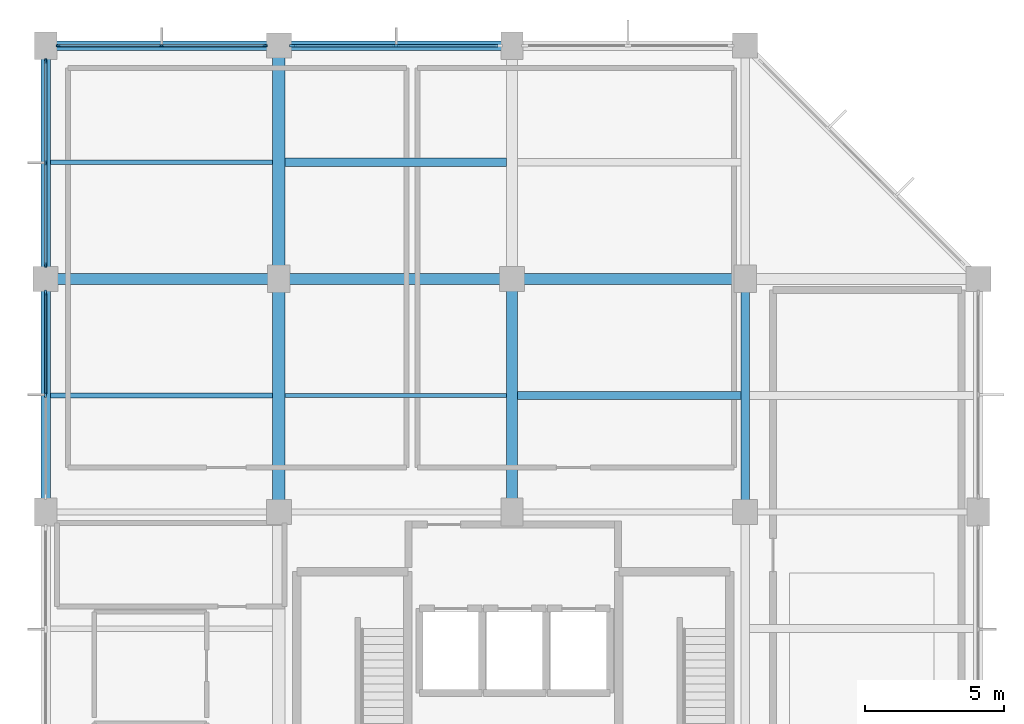
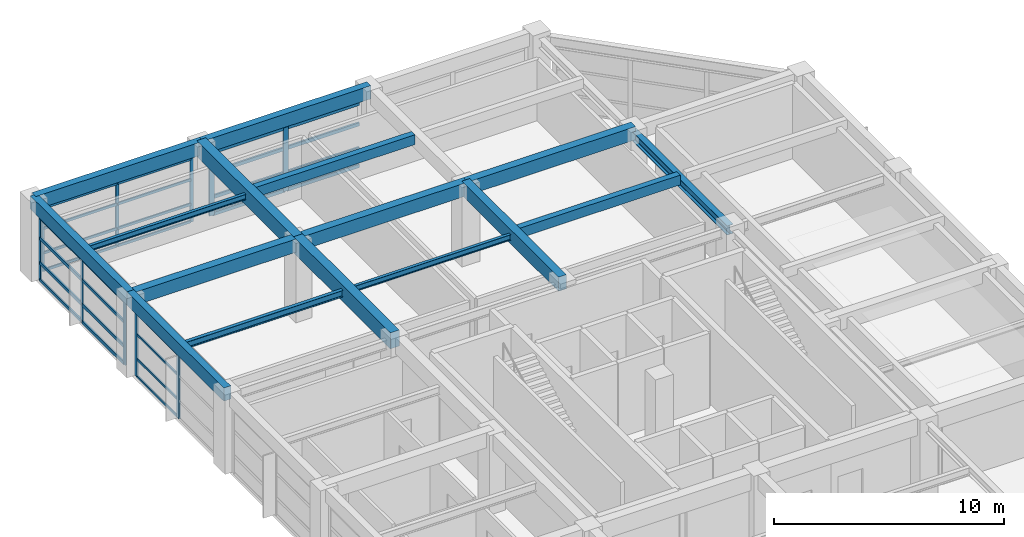
# One storey, part 5 of 11: 38 members, 16 beams, 4 elements without a shape of their own.
"""IFC4 building model written with IfcOpenShell, lengths in metres."""

from ifc_helpers import new_model, si_unit, direction, frame, origin, origin_2d, place, context, subcontext, project, spatial, rectangle, i_section, extrude, material, material_profile, profile_set, type_object, element, aggregate, save


model = new_model("IFC4")

# Units and contexts
model_context = context("Model", 3, precision=1e-05, world=origin(), true_north=direction((0.0, 1.0)))
body_context = subcontext(model_context, "Body", "Model", "MODEL_VIEW")
ifc_project = project(units=[si_unit("LENGTHUNIT", "METRE"), si_unit("AREAUNIT", "SQUARE_METRE"), si_unit("VOLUMEUNIT", "CUBIC_METRE"), si_unit("PLANEANGLEUNIT", "RADIAN"), si_unit("MASSUNIT", "GRAM", prefix="KILO")], contexts=[model_context])

# Site, building, storey
site_placement = place(None, origin())
site = spatial("IfcSite", under=ifc_project, at=site_placement, CompositionType="ELEMENT")
building_placement = place(site_placement, origin())
building = spatial("IfcBuilding", under=site, at=building_placement, Name="Xuanlan Plaza Opera House", CompositionType="ELEMENT")
storey_placement = place(building_placement, frame((0.0, 0.0, 57.300048828125)))
storey = spatial("IfcBuildingStorey", under=building, at=storey_placement, Name="L13", CompositionType="ELEMENT", Elevation=57.300048828125)

# Curtain wall, members
ifc_material_1 = material(Name="Anodised Aluminium 6063-T6 and Low-E Glass", Category="aluminium")
curtain_wall_type_1 = type_object("IfcCurtainWallType", Name="ENV-CW-CW-02", PredefinedType="USERDEFINED", material=ifc_material_1)
curtain_wall_1_placement = place(storey_placement, origin())
curtain_wall_1 = element("IfcCurtainWall", 1, at=curtain_wall_1_placement, inside=storey, type_object=curtain_wall_type_1, Name="Unitised Curtain Wall L13-011", ObjectType="UNITISED CURTAIN WALL", PredefinedType="USERDEFINED")
ifc_material_2 = material(Name="Anodised Aluminium 6063-T6", Category="aluminium")
ifc_material_profile_1 = material_profile(ifc_material_2, rectangle(XDim=0.06494140625, YDim=0.159912109375, at=origin_2d()), Name="ALU-M 65x160")
ifc_profile_set_1 = profile_set([ifc_material_profile_1], Name="Anodised Aluminium 6063-T6")
member_type_1 = type_object("IfcMemberType", Name="ENV-CWM-01", PredefinedType="MULLION", material=ifc_profile_set_1)
member_1_placement = place(storey_placement, frame((133.8974609375, 84.0, 0.0), z_axis=(0.0, 0.0, 1.0), x_axis=(0.0, -1.0, 0.0)))
member_1 = element("IfcMember", 2, at=member_1_placement, type_object=member_type_1, Name="CW-02 mullion 1", PredefinedType="MULLION", context=body_context, shape_type="SweptSolid", body=[
    extrude(rectangle(XDim=0.06494140625, YDim=0.159912109375, at=origin_2d()), origin(), (0.0, 0.0, 1.0), 3.3798828125),
])
member_2_placement = place(storey_placement, frame((130.175048828125, 84.0, 0.0), z_axis=(0.0, 0.0, 1.0), x_axis=(0.0, -1.0, 0.0)))
member_2 = element("IfcMember", 3, at=member_2_placement, type_object=member_type_1, Name="CW-02 mullion 2", PredefinedType="MULLION", context=body_context, shape_type="SweptSolid", body=[
    extrude(rectangle(XDim=0.06494140625, YDim=0.159912109375, at=origin_2d()), origin(), (0.0, 0.0, 1.0), 3.3798828125),
])
member_3_placement = place(storey_placement, frame((126.452392578125, 84.0, 0.0), z_axis=(0.0, 0.0, 1.0), x_axis=(0.0, -1.0, 0.0)))
member_3 = element("IfcMember", 4, at=member_3_placement, type_object=member_type_1, Name="CW-02 mullion 3", PredefinedType="MULLION", context=body_context, shape_type="SweptSolid", body=[
    extrude(rectangle(XDim=0.06494140625, YDim=0.159912109375, at=origin_2d()), origin(), (0.0, 0.0, 1.0), 3.3798828125),
])

curtain_wall_type_2 = type_object("IfcCurtainWallType", Name="ENV-CW-CW-03", PredefinedType="USERDEFINED", material=ifc_material_1)
curtain_wall_2_placement = place(storey_placement, origin())
curtain_wall_2 = element("IfcCurtainWall", 5, at=curtain_wall_2_placement, inside=storey, type_object=curtain_wall_type_2, Name="Unitised Curtain Wall L13-012", ObjectType="UNITISED CURTAIN WALL", PredefinedType="USERDEFINED")
ifc_material_profile_2 = material_profile(ifc_material_2, rectangle(XDim=0.070068359375, YDim=0.179931640625, at=origin_2d()), Name="ALU-M 70x180")
ifc_profile_set_2 = profile_set([ifc_material_profile_2], Name="Anodised Aluminium 6063-T6")
member_type_2 = type_object("IfcMemberType", Name="ENV-CWM-02", PredefinedType="MULLION", material=ifc_profile_set_2)
member_4_placement = place(storey_placement, frame((126.0, 83.445068359375, 0.0), z_axis=(0.0, 0.0, 1.0), x_axis=(1.0, 0.0, 0.0)))
member_4 = element("IfcMember", 6, at=member_4_placement, type_object=member_type_2, Name="CW-03 mullion 1", PredefinedType="MULLION", context=body_context, shape_type="SweptSolid", body=[
    extrude(rectangle(XDim=0.070068359375, YDim=0.179931640625, at=origin_2d()), origin(), (0.0, 0.0, 1.0), 3.3798828125),
])
member_5_placement = place(storey_placement, frame((126.0, 79.77490234375, 0.0), z_axis=(0.0, 0.0, 1.0), x_axis=(1.0, 0.0, 0.0)))
member_5 = element("IfcMember", 7, at=member_5_placement, type_object=member_type_2, Name="CW-03 mullion 2", PredefinedType="MULLION", context=body_context, shape_type="SweptSolid", body=[
    extrude(rectangle(XDim=0.070068359375, YDim=0.179931640625, at=origin_2d()), origin(), (0.0, 0.0, 1.0), 3.3798828125),
])
member_6_placement = place(storey_placement, frame((126.0, 76.10498046875, 0.0), z_axis=(0.0, 0.0, 1.0), x_axis=(1.0, 0.0, 0.0)))
member_6 = element("IfcMember", 8, at=member_6_placement, type_object=member_type_2, Name="CW-03 mullion 3", PredefinedType="MULLION", context=body_context, shape_type="SweptSolid", body=[
    extrude(rectangle(XDim=0.070068359375, YDim=0.179931640625, at=origin_2d()), origin(), (0.0, 0.0, 1.0), 3.3798828125),
])

curtain_wall_type_3 = type_object("IfcCurtainWallType", Name="ENV-CW-CW-04", PredefinedType="USERDEFINED", material=ifc_material_1)
curtain_wall_3_placement = place(storey_placement, origin())
curtain_wall_3 = element("IfcCurtainWall", 9, at=curtain_wall_3_placement, inside=storey, type_object=curtain_wall_type_3, Name="Unitised Curtain Wall L13-013", ObjectType="UNITISED CURTAIN WALL", PredefinedType="USERDEFINED")
ifc_material_profile_3 = material_profile(ifc_material_2, rectangle(XDim=0.074951171875, YDim=0.199951171875, at=origin_2d()), Name="ALU-M 75x200")
ifc_profile_set_3 = profile_set([ifc_material_profile_3], Name="Anodised Aluminium 6063-T6")
member_type_3 = type_object("IfcMemberType", Name="ENV-CWM-03", PredefinedType="MULLION", material=ifc_profile_set_3)
member_7_placement = place(storey_placement, frame((126.0, 75.092529296875, 0.0), z_axis=(0.0, 0.0, 1.0), x_axis=(1.0, 0.0, 0.0)))
member_7 = element("IfcMember", 10, at=member_7_placement, type_object=member_type_3, Name="CW-04 mullion 1", PredefinedType="MULLION", context=body_context, shape_type="SweptSolid", body=[
    extrude(rectangle(XDim=0.074951171875, YDim=0.199951171875, at=origin_2d()), origin(), (0.0, 0.0, 1.0), 3.3798828125),
])
member_8_placement = place(storey_placement, frame((126.0, 71.425048828125, 0.0), z_axis=(0.0, 0.0, 1.0), x_axis=(1.0, 0.0, 0.0)))
member_8 = element("IfcMember", 11, at=member_8_placement, type_object=member_type_3, Name="CW-04 mullion 2", PredefinedType="MULLION", context=body_context, shape_type="SweptSolid", body=[
    extrude(rectangle(XDim=0.074951171875, YDim=0.199951171875, at=origin_2d()), origin(), (0.0, 0.0, 1.0), 3.3798828125),
])

curtain_wall_type_4 = type_object("IfcCurtainWallType", Name="ENV-CW-CW-01", PredefinedType="USERDEFINED", material=ifc_material_1)
curtain_wall_4_placement = place(storey_placement, origin())
curtain_wall_4 = element("IfcCurtainWall", 12, at=curtain_wall_4_placement, inside=storey, type_object=curtain_wall_type_4, Name="Unitised Curtain Wall L13-010", ObjectType="UNITISED CURTAIN WALL", PredefinedType="USERDEFINED")
ifc_material_profile_4 = material_profile(ifc_material_2, rectangle(XDim=0.090087890625, YDim=0.25, at=origin_2d()), Name="ALU-M 90x250")
ifc_profile_set_4 = profile_set([ifc_material_profile_4], Name="Anodised Aluminium 6063-T6")
member_type_4 = type_object("IfcMemberType", Name="ENV-CWM-05", PredefinedType="MULLION", material=ifc_profile_set_4)
member_9_placement = place(storey_placement, frame((138.625, 84.0, 0.0), z_axis=(0.0, 0.0, 1.0), x_axis=(0.0, -1.0, 0.0)))
member_9 = element("IfcMember", 13, at=member_9_placement, type_object=member_type_4, Name="CW-01 mullion 2", PredefinedType="MULLION", context=body_context, shape_type="SweptSolid", body=[
    extrude(rectangle(XDim=0.090087890625, YDim=0.25, at=origin_2d()), origin(), (0.0, 0.0, 1.0), 3.3798828125),
])
member_10_placement = place(storey_placement, frame((134.9150390625, 84.0, 0.0), z_axis=(0.0, 0.0, 1.0), x_axis=(0.0, -1.0, 0.0)))
member_10 = element("IfcMember", 14, at=member_10_placement, type_object=member_type_4, Name="CW-01 mullion 3", PredefinedType="MULLION", context=body_context, shape_type="SweptSolid", body=[
    extrude(rectangle(XDim=0.090087890625, YDim=0.25, at=origin_2d()), origin(), (0.0, 0.0, 1.0), 3.3798828125),
])

# Member
ifc_material_profile_5 = material_profile(ifc_material_2, rectangle(XDim=0.06494140625, YDim=0.1201171875, at=origin_2d()), Name="ALU-T 65x120")
ifc_profile_set_5 = profile_set([ifc_material_profile_5], Name="Anodised Aluminium 6063-T6")
member_type_5 = type_object("IfcMemberType", Name="ENV-CWT-01", PredefinedType="USERDEFINED", material=ifc_profile_set_5)
member_11_placement = place(storey_placement, frame((126.0, 75.054931640625, 0.032470703125), z_axis=(0.0, -1.0, 0.0), x_axis=(1.0, 0.0, 0.0)))
member_11 = element("IfcMember", 15, at=member_11_placement, type_object=member_type_5, Name="CW-04 transom 1.1", ObjectType="TRANSOM", PredefinedType="USERDEFINED", context=body_context, shape_type="SweptSolid", body=[
    extrude(rectangle(XDim=0.06494140625, YDim=0.1201171875, at=origin_2d()), origin(), (0.0, 0.0, 1.0), 3.592529296875),
])

member_12_placement = place(storey_placement, frame((126.0, 75.054931640625, 0.949951171875), z_axis=(0.0, -1.0, 0.0), x_axis=(1.0, 0.0, 0.0)))
member_12 = element("IfcMember", 16, at=member_12_placement, type_object=member_type_5, Name="CW-04 transom 1.2", ObjectType="TRANSOM", PredefinedType="USERDEFINED", context=body_context, shape_type="SweptSolid", body=[
    extrude(rectangle(XDim=0.06494140625, YDim=0.1201171875, at=origin_2d()), origin(), (0.0, 0.0, 1.0), 3.592529296875),
])

member_13_placement = place(storey_placement, frame((126.0, 75.054931640625, 2.25), z_axis=(0.0, -1.0, 0.0), x_axis=(1.0, 0.0, 0.0)))
member_13 = element("IfcMember", 17, at=member_13_placement, type_object=member_type_5, Name="CW-04 transom 1.3", ObjectType="TRANSOM", PredefinedType="USERDEFINED", context=body_context, shape_type="SweptSolid", body=[
    extrude(rectangle(XDim=0.06494140625, YDim=0.1201171875, at=origin_2d()), origin(), (0.0, 0.0, 1.0), 3.592529296875),
])

member_14_placement = place(storey_placement, frame((126.0, 75.054931640625, 3.347412109375), z_axis=(0.0, -1.0, 0.0), x_axis=(1.0, 0.0, 0.0)))
member_14 = element("IfcMember", 18, at=member_14_placement, type_object=member_type_5, Name="CW-04 transom 1.4", ObjectType="TRANSOM", PredefinedType="USERDEFINED", context=body_context, shape_type="SweptSolid", body=[
    extrude(rectangle(XDim=0.06494140625, YDim=0.1201171875, at=origin_2d()), origin(), (0.0, 0.0, 1.0), 3.592529296875),
])

aggregate(curtain_wall_3, [member_7, member_8, member_11, member_12, member_13, member_14])

ifc_material_profile_6 = material_profile(ifc_material_2, rectangle(XDim=0.070068359375, YDim=0.135009765625, at=origin_2d()), Name="ALU-T 70x135")
ifc_profile_set_6 = profile_set([ifc_material_profile_6], Name="Anodised Aluminium 6063-T6")
member_type_6 = type_object("IfcMemberType", Name="ENV-CWT-02", PredefinedType="USERDEFINED", material=ifc_profile_set_6)
member_15_placement = place(storey_placement, frame((133.864990234375, 84.0, 0.034912109375), z_axis=(-1.0, 0.0, 0.0), x_axis=(0.0, -1.0, 0.0)))
member_15 = element("IfcMember", 19, at=member_15_placement, type_object=member_type_6, Name="CW-02 transom 1.1", ObjectType="TRANSOM", PredefinedType="USERDEFINED", context=body_context, shape_type="SweptSolid", body=[
    extrude(rectangle(XDim=0.070068359375, YDim=0.135009765625, at=origin_2d()), origin(), (0.0, 0.0, 1.0), 3.657470703125),
])

member_16_placement = place(storey_placement, frame((133.864990234375, 84.0, 0.949951171875), z_axis=(-1.0, 0.0, 0.0), x_axis=(0.0, -1.0, 0.0)))
member_16 = element("IfcMember", 20, at=member_16_placement, type_object=member_type_6, Name="CW-02 transom 1.2", ObjectType="TRANSOM", PredefinedType="USERDEFINED", context=body_context, shape_type="SweptSolid", body=[
    extrude(rectangle(XDim=0.070068359375, YDim=0.135009765625, at=origin_2d()), origin(), (0.0, 0.0, 1.0), 3.657470703125),
])

member_17_placement = place(storey_placement, frame((133.864990234375, 84.0, 2.25), z_axis=(-1.0, 0.0, 0.0), x_axis=(0.0, -1.0, 0.0)))
member_17 = element("IfcMember", 21, at=member_17_placement, type_object=member_type_6, Name="CW-02 transom 1.3", ObjectType="TRANSOM", PredefinedType="USERDEFINED", context=body_context, shape_type="SweptSolid", body=[
    extrude(rectangle(XDim=0.070068359375, YDim=0.135009765625, at=origin_2d()), origin(), (0.0, 0.0, 1.0), 3.657470703125),
])

member_18_placement = place(storey_placement, frame((133.864990234375, 84.0, 3.344970703125), z_axis=(-1.0, 0.0, 0.0), x_axis=(0.0, -1.0, 0.0)))
member_18 = element("IfcMember", 22, at=member_18_placement, type_object=member_type_6, Name="CW-02 transom 1.4", ObjectType="TRANSOM", PredefinedType="USERDEFINED", context=body_context, shape_type="SweptSolid", body=[
    extrude(rectangle(XDim=0.070068359375, YDim=0.135009765625, at=origin_2d()), origin(), (0.0, 0.0, 1.0), 3.657470703125),
])

member_19_placement = place(storey_placement, frame((130.142578125, 84.0, 0.034912109375), z_axis=(-1.0, 0.0, 0.0), x_axis=(0.0, -1.0, 0.0)))
member_19 = element("IfcMember", 23, at=member_19_placement, type_object=member_type_6, Name="CW-02 transom 2.1", ObjectType="TRANSOM", PredefinedType="USERDEFINED", context=body_context, shape_type="SweptSolid", body=[
    extrude(rectangle(XDim=0.070068359375, YDim=0.135009765625, at=origin_2d()), origin(), (0.0, 0.0, 1.0), 3.657470703125),
])

member_20_placement = place(storey_placement, frame((130.142578125, 84.0, 0.949951171875), z_axis=(-1.0, 0.0, 0.0), x_axis=(0.0, -1.0, 0.0)))
member_20 = element("IfcMember", 24, at=member_20_placement, type_object=member_type_6, Name="CW-02 transom 2.2", ObjectType="TRANSOM", PredefinedType="USERDEFINED", context=body_context, shape_type="SweptSolid", body=[
    extrude(rectangle(XDim=0.070068359375, YDim=0.135009765625, at=origin_2d()), origin(), (0.0, 0.0, 1.0), 3.657470703125),
])

member_21_placement = place(storey_placement, frame((130.142578125, 84.0, 2.25), z_axis=(-1.0, 0.0, 0.0), x_axis=(0.0, -1.0, 0.0)))
member_21 = element("IfcMember", 25, at=member_21_placement, type_object=member_type_6, Name="CW-02 transom 2.3", ObjectType="TRANSOM", PredefinedType="USERDEFINED", context=body_context, shape_type="SweptSolid", body=[
    extrude(rectangle(XDim=0.070068359375, YDim=0.135009765625, at=origin_2d()), origin(), (0.0, 0.0, 1.0), 3.657470703125),
])

member_22_placement = place(storey_placement, frame((130.142578125, 84.0, 3.344970703125), z_axis=(-1.0, 0.0, 0.0), x_axis=(0.0, -1.0, 0.0)))
member_22 = element("IfcMember", 26, at=member_22_placement, type_object=member_type_6, Name="CW-02 transom 2.4", ObjectType="TRANSOM", PredefinedType="USERDEFINED", context=body_context, shape_type="SweptSolid", body=[
    extrude(rectangle(XDim=0.070068359375, YDim=0.135009765625, at=origin_2d()), origin(), (0.0, 0.0, 1.0), 3.657470703125),
])

aggregate(curtain_wall_1, [member_1, member_2, member_3, member_15, member_16, member_17, member_18, member_19, member_20, member_21, member_22])

ifc_material_profile_7 = material_profile(ifc_material_2, rectangle(XDim=0.080078125, YDim=0.1650390625, at=origin_2d()), Name="ALU-T 80x165")
ifc_profile_set_7 = profile_set([ifc_material_profile_7], Name="Anodised Aluminium 6063-T6")
member_type_7 = type_object("IfcMemberType", Name="ENV-CWT-04", PredefinedType="USERDEFINED", material=ifc_profile_set_7)
member_23_placement = place(storey_placement, frame((126.0, 83.409912109375, 0.0400390625), z_axis=(0.0, -1.0, 0.0), x_axis=(1.0, 0.0, 0.0)))
member_23 = element("IfcMember", 27, at=member_23_placement, type_object=member_type_7, Name="CW-03 transom 1.1", ObjectType="TRANSOM", PredefinedType="USERDEFINED", context=body_context, shape_type="SweptSolid", body=[
    extrude(rectangle(XDim=0.080078125, YDim=0.1650390625, at=origin_2d()), origin(), (0.0, 0.0, 1.0), 3.599853515625),
])

member_24_placement = place(storey_placement, frame((126.0, 83.409912109375, 0.949951171875), z_axis=(0.0, -1.0, 0.0), x_axis=(1.0, 0.0, 0.0)))
member_24 = element("IfcMember", 28, at=member_24_placement, type_object=member_type_7, Name="CW-03 transom 1.2", ObjectType="TRANSOM", PredefinedType="USERDEFINED", context=body_context, shape_type="SweptSolid", body=[
    extrude(rectangle(XDim=0.080078125, YDim=0.1650390625, at=origin_2d()), origin(), (0.0, 0.0, 1.0), 3.599853515625),
])

member_25_placement = place(storey_placement, frame((126.0, 83.409912109375, 2.25), z_axis=(0.0, -1.0, 0.0), x_axis=(1.0, 0.0, 0.0)))
member_25 = element("IfcMember", 29, at=member_25_placement, type_object=member_type_7, Name="CW-03 transom 1.3", ObjectType="TRANSOM", PredefinedType="USERDEFINED", context=body_context, shape_type="SweptSolid", body=[
    extrude(rectangle(XDim=0.080078125, YDim=0.1650390625, at=origin_2d()), origin(), (0.0, 0.0, 1.0), 3.599853515625),
])

member_26_placement = place(storey_placement, frame((126.0, 83.409912109375, 3.33984375), z_axis=(0.0, -1.0, 0.0), x_axis=(1.0, 0.0, 0.0)))
member_26 = element("IfcMember", 30, at=member_26_placement, type_object=member_type_7, Name="CW-03 transom 1.4", ObjectType="TRANSOM", PredefinedType="USERDEFINED", context=body_context, shape_type="SweptSolid", body=[
    extrude(rectangle(XDim=0.080078125, YDim=0.1650390625, at=origin_2d()), origin(), (0.0, 0.0, 1.0), 3.599853515625),
])

member_27_placement = place(storey_placement, frame((126.0, 79.739990234375, 0.0400390625), z_axis=(0.0, -1.0, 0.0), x_axis=(1.0, 0.0, 0.0)))
member_27 = element("IfcMember", 31, at=member_27_placement, type_object=member_type_7, Name="CW-03 transom 2.1", ObjectType="TRANSOM", PredefinedType="USERDEFINED", context=body_context, shape_type="SweptSolid", body=[
    extrude(rectangle(XDim=0.080078125, YDim=0.1650390625, at=origin_2d()), origin(), (0.0, 0.0, 1.0), 3.60009765625),
])

member_28_placement = place(storey_placement, frame((126.0, 79.739990234375, 0.949951171875), z_axis=(0.0, -1.0, 0.0), x_axis=(1.0, 0.0, 0.0)))
member_28 = element("IfcMember", 32, at=member_28_placement, type_object=member_type_7, Name="CW-03 transom 2.2", ObjectType="TRANSOM", PredefinedType="USERDEFINED", context=body_context, shape_type="SweptSolid", body=[
    extrude(rectangle(XDim=0.080078125, YDim=0.1650390625, at=origin_2d()), origin(), (0.0, 0.0, 1.0), 3.60009765625),
])

member_29_placement = place(storey_placement, frame((126.0, 79.739990234375, 2.25), z_axis=(0.0, -1.0, 0.0), x_axis=(1.0, 0.0, 0.0)))
member_29 = element("IfcMember", 33, at=member_29_placement, type_object=member_type_7, Name="CW-03 transom 2.3", ObjectType="TRANSOM", PredefinedType="USERDEFINED", context=body_context, shape_type="SweptSolid", body=[
    extrude(rectangle(XDim=0.080078125, YDim=0.1650390625, at=origin_2d()), origin(), (0.0, 0.0, 1.0), 3.60009765625),
])

member_30_placement = place(storey_placement, frame((126.0, 79.739990234375, 3.33984375), z_axis=(0.0, -1.0, 0.0), x_axis=(1.0, 0.0, 0.0)))
member_30 = element("IfcMember", 34, at=member_30_placement, type_object=member_type_7, Name="CW-03 transom 2.4", ObjectType="TRANSOM", PredefinedType="USERDEFINED", context=body_context, shape_type="SweptSolid", body=[
    extrude(rectangle(XDim=0.080078125, YDim=0.1650390625, at=origin_2d()), origin(), (0.0, 0.0, 1.0), 3.60009765625),
])

aggregate(curtain_wall_2, [member_4, member_5, member_6, member_23, member_24, member_25, member_26, member_27, member_28, member_29, member_30])

ifc_material_profile_8 = material_profile(ifc_material_2, rectangle(XDim=0.090087890625, YDim=0.179931640625, at=origin_2d()), Name="ALU-T 90x180")
ifc_profile_set_8 = profile_set([ifc_material_profile_8], Name="Anodised Aluminium 6063-T6")
member_type_8 = type_object("IfcMemberType", Name="ENV-CWT-05", PredefinedType="USERDEFINED", material=ifc_profile_set_8)
member_31_placement = place(storey_placement, frame((142.2900390625, 84.0, 0.044921875), z_axis=(-1.0, 0.0, 0.0), x_axis=(0.0, -1.0, 0.0)))
member_31 = element("IfcMember", 35, at=member_31_placement, type_object=member_type_8, Name="CW-01 transom 1.1", ObjectType="TRANSOM", PredefinedType="USERDEFINED", context=body_context, shape_type="SweptSolid", body=[
    extrude(rectangle(XDim=0.090087890625, YDim=0.179931640625, at=origin_2d()), origin(), (0.0, 0.0, 1.0), 3.6201171875),
])

member_32_placement = place(storey_placement, frame((142.2900390625, 84.0, 0.949951171875), z_axis=(-1.0, 0.0, 0.0), x_axis=(0.0, -1.0, 0.0)))
member_32 = element("IfcMember", 36, at=member_32_placement, type_object=member_type_8, Name="CW-01 transom 1.2", ObjectType="TRANSOM", PredefinedType="USERDEFINED", context=body_context, shape_type="SweptSolid", body=[
    extrude(rectangle(XDim=0.090087890625, YDim=0.179931640625, at=origin_2d()), origin(), (0.0, 0.0, 1.0), 3.6201171875),
])

member_33_placement = place(storey_placement, frame((142.2900390625, 84.0, 2.25), z_axis=(-1.0, 0.0, 0.0), x_axis=(0.0, -1.0, 0.0)))
member_33 = element("IfcMember", 37, at=member_33_placement, type_object=member_type_8, Name="CW-01 transom 1.3", ObjectType="TRANSOM", PredefinedType="USERDEFINED", context=body_context, shape_type="SweptSolid", body=[
    extrude(rectangle(XDim=0.090087890625, YDim=0.179931640625, at=origin_2d()), origin(), (0.0, 0.0, 1.0), 3.6201171875),
])

member_34_placement = place(storey_placement, frame((142.2900390625, 84.0, 3.3349609375), z_axis=(-1.0, 0.0, 0.0), x_axis=(0.0, -1.0, 0.0)))
member_34 = element("IfcMember", 38, at=member_34_placement, type_object=member_type_8, Name="CW-01 transom 1.4", ObjectType="TRANSOM", PredefinedType="USERDEFINED", context=body_context, shape_type="SweptSolid", body=[
    extrude(rectangle(XDim=0.090087890625, YDim=0.179931640625, at=origin_2d()), origin(), (0.0, 0.0, 1.0), 3.6201171875),
])

member_35_placement = place(storey_placement, frame((138.580078125, 84.0, 0.044921875), z_axis=(-1.0, 0.0, 0.0), x_axis=(0.0, -1.0, 0.0)))
member_35 = element("IfcMember", 39, at=member_35_placement, type_object=member_type_8, Name="CW-01 transom 2.1", ObjectType="TRANSOM", PredefinedType="USERDEFINED", context=body_context, shape_type="SweptSolid", body=[
    extrude(rectangle(XDim=0.090087890625, YDim=0.179931640625, at=origin_2d()), origin(), (0.0, 0.0, 1.0), 3.6201171875),
])

member_36_placement = place(storey_placement, frame((138.580078125, 84.0, 0.949951171875), z_axis=(-1.0, 0.0, 0.0), x_axis=(0.0, -1.0, 0.0)))
member_36 = element("IfcMember", 40, at=member_36_placement, type_object=member_type_8, Name="CW-01 transom 2.2", ObjectType="TRANSOM", PredefinedType="USERDEFINED", context=body_context, shape_type="SweptSolid", body=[
    extrude(rectangle(XDim=0.090087890625, YDim=0.179931640625, at=origin_2d()), origin(), (0.0, 0.0, 1.0), 3.6201171875),
])

member_37_placement = place(storey_placement, frame((138.580078125, 84.0, 2.25), z_axis=(-1.0, 0.0, 0.0), x_axis=(0.0, -1.0, 0.0)))
member_37 = element("IfcMember", 41, at=member_37_placement, type_object=member_type_8, Name="CW-01 transom 2.3", ObjectType="TRANSOM", PredefinedType="USERDEFINED", context=body_context, shape_type="SweptSolid", body=[
    extrude(rectangle(XDim=0.090087890625, YDim=0.179931640625, at=origin_2d()), origin(), (0.0, 0.0, 1.0), 3.6201171875),
])

member_38_placement = place(storey_placement, frame((138.580078125, 84.0, 3.3349609375), z_axis=(-1.0, 0.0, 0.0), x_axis=(0.0, -1.0, 0.0)))
member_38 = element("IfcMember", 42, at=member_38_placement, type_object=member_type_8, Name="CW-01 transom 2.4", ObjectType="TRANSOM", PredefinedType="USERDEFINED", context=body_context, shape_type="SweptSolid", body=[
    extrude(rectangle(XDim=0.090087890625, YDim=0.179931640625, at=origin_2d()), origin(), (0.0, 0.0, 1.0), 3.6201171875),
])

aggregate(curtain_wall_4, [member_9, member_10, member_31, member_32, member_33, member_34, member_35, member_36, member_37, member_38])

# Beams
ifc_material_3 = material(Name="Concrete C40", Category="concrete")
ifc_material_profile_9 = material_profile(ifc_material_3, rectangle(XDim=0.449951171875, YDim=0.85009765625, at=origin_2d()), Name="RC-BM 450x850")
ifc_profile_set_9 = profile_set([ifc_material_profile_9], Name="Concrete C40")
beam_type_1 = type_object("IfcBeamType", Name="STR-BM-B-04", PredefinedType="BEAM", material=ifc_profile_set_9)
beam_1_placement = place(storey_placement, frame((134.39990234375, 67.199951171875, 3.77490234375), z_axis=(0.0, 1.0, 0.0), x_axis=(-1.0, 0.0, 0.0)))
element("IfcBeam", 43, at=beam_1_placement, inside=storey, type_object=beam_type_1, Name="Grid Beam Y L13 17/I-J", PredefinedType="BEAM", context=body_context, shape_type="SweptSolid", body=[
    extrude(rectangle(XDim=0.449951171875, YDim=0.85009765625, at=origin_2d()), origin(), (0.0, 0.0, 1.0), 8.400146484375),
])
beam_2_placement = place(storey_placement, frame((134.39990234375, 75.60009765625, 3.77490234375), z_axis=(0.0, 1.0, 0.0), x_axis=(-1.0, 0.0, 0.0)))
element("IfcBeam", 44, at=beam_2_placement, inside=storey, type_object=beam_type_1, Name="Grid Beam Y L13 17/J-K", PredefinedType="BEAM", context=body_context, shape_type="SweptSolid", body=[
    extrude(rectangle(XDim=0.449951171875, YDim=0.85009765625, at=origin_2d()), origin(), (0.0, 0.0, 1.0), 8.39990234375),
])
ifc_material_profile_10 = material_profile(ifc_material_3, rectangle(XDim=0.39990234375, YDim=0.75, at=origin_2d()), Name="RC-BM 400x750")
ifc_profile_set_10 = profile_set([ifc_material_profile_10], Name="Concrete C40")
beam_type_2 = type_object("IfcBeamType", Name="STR-BM-B-06", PredefinedType="BEAM", material=ifc_profile_set_10)
beam_3_placement = place(storey_placement, frame((142.800048828125, 67.199951171875, 3.824951171875), z_axis=(0.0, 1.0, 0.0), x_axis=(-1.0, 0.0, 0.0)))
element("IfcBeam", 45, at=beam_3_placement, inside=storey, type_object=beam_type_2, Name="Grid Beam Y L13 18/I-J", PredefinedType="BEAM", context=body_context, shape_type="SweptSolid", body=[
    extrude(rectangle(XDim=0.39990234375, YDim=0.75, at=origin_2d()), origin(), (0.0, 0.0, 1.0), 8.400146484375),
])
ifc_material_profile_11 = material_profile(ifc_material_3, rectangle(XDim=0.39990234375, YDim=0.699951171875, at=origin_2d()), Name="RC-BM 400x700")
ifc_profile_set_11 = profile_set([ifc_material_profile_11], Name="Concrete C40")
beam_type_3 = type_object("IfcBeamType", Name="STR-BM-B-07", PredefinedType="BEAM", material=ifc_profile_set_11)
beam_4_placement = place(storey_placement, frame((126.0, 75.60009765625, 3.849853515625), z_axis=(1.0, 0.0, 0.0), x_axis=(0.0, 1.0, 0.0)))
element("IfcBeam", 46, at=beam_4_placement, inside=storey, type_object=beam_type_3, Name="Grid Beam X L13 16-17/J", PredefinedType="BEAM", context=body_context, shape_type="SweptSolid", body=[
    extrude(rectangle(XDim=0.39990234375, YDim=0.699951171875, at=origin_2d()), origin(), (0.0, 0.0, 1.0), 8.39990234375),
])
beam_5_placement = place(storey_placement, frame((134.39990234375, 75.60009765625, 3.849853515625), z_axis=(1.0, 0.0, 0.0), x_axis=(0.0, 1.0, 0.0)))
element("IfcBeam", 47, at=beam_5_placement, inside=storey, type_object=beam_type_3, Name="Grid Beam X L13 17-18/J", PredefinedType="BEAM", context=body_context, shape_type="SweptSolid", body=[
    extrude(rectangle(XDim=0.39990234375, YDim=0.699951171875, at=origin_2d()), origin(), (0.0, 0.0, 1.0), 8.400146484375),
])
beam_6_placement = place(storey_placement, frame((142.800048828125, 75.60009765625, 3.849853515625), z_axis=(1.0, 0.0, 0.0), x_axis=(0.0, 1.0, 0.0)))
element("IfcBeam", 48, at=beam_6_placement, inside=storey, type_object=beam_type_3, Name="Grid Beam X L13 18-19/J", PredefinedType="BEAM", context=body_context, shape_type="SweptSolid", body=[
    extrude(rectangle(XDim=0.39990234375, YDim=0.699951171875, at=origin_2d()), origin(), (0.0, 0.0, 1.0), 8.39990234375),
])
ifc_material_4 = material(Name="Steel Q355B", Category="steel")
ifc_material_profile_12 = material_profile(ifc_material_4, i_section(OverallWidth=0.175048828125, OverallDepth=0.35009765625, WebThickness=0.007080078125, FlangeThickness=0.010986328125, FilletRadius=0.013916015625, at=origin_2d()), Name="HN 350x175x7x11")
ifc_profile_set_12 = profile_set([ifc_material_profile_12], Name="Steel Q355B")
beam_type_4 = type_object("IfcBeamType", Name="STR-BM-J-03", PredefinedType="JOIST", material=ifc_profile_set_12)
beam_7_placement = place(storey_placement, frame((126.175048828125, 71.39990234375, 3.780029296875), z_axis=(1.0, 0.0, 0.0), x_axis=(0.0, 1.0, 0.0)))
element("IfcBeam", 49, at=beam_7_placement, inside=storey, type_object=beam_type_4, Name="Heavy Floor Joist L13 16-17/Im", PredefinedType="JOIST", context=body_context, shape_type="SweptSolid", body=[
    extrude(i_section(OverallWidth=0.175048828125, OverallDepth=0.35009765625, WebThickness=0.007080078125, FlangeThickness=0.010986328125, FilletRadius=0.013916015625, at=origin_2d()), origin(), (0.0, 0.0, 1.0), 8.0),
])
ifc_material_profile_13 = material_profile(ifc_material_4, i_section(OverallWidth=0.14990234375, OverallDepth=0.300048828125, WebThickness=0.006591796875, FlangeThickness=0.009033203125, FilletRadius=0.012939453125, at=origin_2d()), Name="HN 300x150x6.5x9")
ifc_profile_set_13 = profile_set([ifc_material_profile_13], Name="Steel Q355B")
beam_type_5 = type_object("IfcBeamType", Name="STR-BM-J-04", PredefinedType="JOIST", material=ifc_profile_set_13)
beam_8_placement = place(storey_placement, frame((134.625, 71.39990234375, 3.804931640625), z_axis=(1.0, 0.0, 0.0), x_axis=(0.0, 1.0, 0.0)))
element("IfcBeam", 50, at=beam_8_placement, inside=storey, type_object=beam_type_5, Name="Heavy Floor Joist L13 17-18/Im", PredefinedType="JOIST", context=body_context, shape_type="SweptSolid", body=[
    extrude(i_section(OverallWidth=0.14990234375, OverallDepth=0.300048828125, WebThickness=0.006591796875, FlangeThickness=0.009033203125, FilletRadius=0.012939453125, at=origin_2d()), origin(), (0.0, 0.0, 1.0), 7.97509765625),
])
beam_9_placement = place(storey_placement, frame((126.175048828125, 79.800048828125, 3.804931640625), z_axis=(1.0, 0.0, 0.0), x_axis=(0.0, 1.0, 0.0)))
element("IfcBeam", 51, at=beam_9_placement, inside=storey, type_object=beam_type_5, Name="Heavy Floor Joist L13 16-17/Jm", PredefinedType="JOIST", context=body_context, shape_type="SweptSolid", body=[
    extrude(i_section(OverallWidth=0.14990234375, OverallDepth=0.300048828125, WebThickness=0.006591796875, FlangeThickness=0.009033203125, FilletRadius=0.012939453125, at=origin_2d()), origin(), (0.0, 0.0, 1.0), 8.0),
])
ifc_material_profile_14 = material_profile(ifc_material_3, rectangle(XDim=0.300048828125, YDim=0.52001953125, at=origin_2d()), Name="RC-JST 300x520")
ifc_profile_set_14 = profile_set([ifc_material_profile_14], Name="Concrete C40")
beam_type_6 = type_object("IfcBeamType", Name="STR-BM-J-05", PredefinedType="JOIST", material=ifc_profile_set_14)
beam_10_placement = place(storey_placement, frame((143.0, 71.39990234375, 3.93994140625), z_axis=(1.0, 0.0, 0.0), x_axis=(0.0, 1.0, 0.0)))
element("IfcBeam", 52, at=beam_10_placement, inside=storey, type_object=beam_type_6, Name="Heavy Floor Joist L13 18-19/Im", PredefinedType="JOIST", context=body_context, shape_type="SweptSolid", body=[
    extrude(rectangle(XDim=0.300048828125, YDim=0.52001953125, at=origin_2d()), origin(), (0.0, 0.0, 1.0), 8.050048828125),
])
beam_11_placement = place(storey_placement, frame((134.625, 79.800048828125, 3.93994140625), z_axis=(1.0, 0.0, 0.0), x_axis=(0.0, 1.0, 0.0)))
element("IfcBeam", 53, at=beam_11_placement, inside=storey, type_object=beam_type_6, Name="Heavy Floor Joist L13 17-18/Jm", PredefinedType="JOIST", context=body_context, shape_type="SweptSolid", body=[
    extrude(rectangle(XDim=0.300048828125, YDim=0.52001953125, at=origin_2d()), origin(), (0.0, 0.0, 1.0), 7.97509765625),
])
ifc_material_profile_15 = material_profile(ifc_material_4, i_section(OverallWidth=0.300048828125, OverallDepth=0.488037109375, WebThickness=0.010986328125, FlangeThickness=0.01806640625, FilletRadius=0.02197265625, at=origin_2d()), Name="HM 488x300x11x18")
ifc_profile_set_15 = profile_set([ifc_material_profile_15], Name="Steel Q355B")
beam_type_7 = type_object("IfcBeamType", Name="STR-BM-SB-07", PredefinedType="BEAM", material=ifc_profile_set_15)
beam_12_placement = place(storey_placement, frame((151.199951171875, 67.199951171875, 3.7109375), z_axis=(0.0, 1.0, 0.0), x_axis=(-1.0, 0.0, 0.0)))
element("IfcBeam", 54, at=beam_12_placement, inside=storey, type_object=beam_type_7, Name="Grid Beam Y L13 19/I-J", PredefinedType="BEAM", context=body_context, shape_type="SweptSolid", body=[
    extrude(i_section(OverallWidth=0.300048828125, OverallDepth=0.488037109375, WebThickness=0.010986328125, FlangeThickness=0.01806640625, FilletRadius=0.02197265625, at=origin_2d()), origin(), (0.0, 0.0, 1.0), 8.400146484375),
])
ifc_material_profile_16 = material_profile(ifc_material_3, rectangle(XDim=0.35009765625, YDim=0.699951171875, at=origin_2d()), Name="RC-SPD 350x700")
ifc_profile_set_16 = profile_set([ifc_material_profile_16], Name="Concrete C40")
beam_type_8 = type_object("IfcBeamType", Name="STR-BM-SP-02", PredefinedType="SPANDREL", material=ifc_profile_set_16)
beam_13_placement = place(storey_placement, frame((126.0, 84.0, 3.849853515625), z_axis=(1.0, 0.0, 0.0), x_axis=(0.0, 1.0, 0.0)))
element("IfcBeam", 55, at=beam_13_placement, inside=storey, type_object=beam_type_8, Name="Grid Beam X L13 16-17/K", PredefinedType="SPANDREL", context=body_context, shape_type="SweptSolid", body=[
    extrude(rectangle(XDim=0.35009765625, YDim=0.699951171875, at=origin_2d()), origin(), (0.0, 0.0, 1.0), 8.39990234375),
])
for number, where, z_axis, x_axis, name in (
    (56, (134.39990234375, 84.0, 3.849853515625), (1.0, 0.0, 0.0), (0.0, 1.0, 0.0), "Grid Beam X L13 17-18/K"),
    (57, (126.0, 67.199951171875, 3.849853515625), (0.0, 1.0, 0.0), (-1.0, 0.0, 0.0), "Grid Beam Y L13 16/I-J"),
):
    element("IfcBeam", number, at=place(storey_placement, frame(where, z_axis=z_axis, x_axis=x_axis)), inside=storey, type_object=beam_type_8, Name=name, PredefinedType="SPANDREL", context=body_context, shape_type="SweptSolid", body=[
        extrude(rectangle(XDim=0.35009765625, YDim=0.699951171875, at=origin_2d()), origin(), (0.0, 0.0, 1.0), 8.400146484375),
    ])
beam_14_placement = place(storey_placement, frame((126.0, 75.60009765625, 3.849853515625), z_axis=(0.0, 1.0, 0.0), x_axis=(-1.0, 0.0, 0.0)))
element("IfcBeam", 58, at=beam_14_placement, inside=storey, type_object=beam_type_8, Name="Grid Beam Y L13 16/J-K", PredefinedType="SPANDREL", context=body_context, shape_type="SweptSolid", body=[
    extrude(rectangle(XDim=0.35009765625, YDim=0.699951171875, at=origin_2d()), origin(), (0.0, 0.0, 1.0), 8.39990234375),
])

save(model, "model.ifc")
